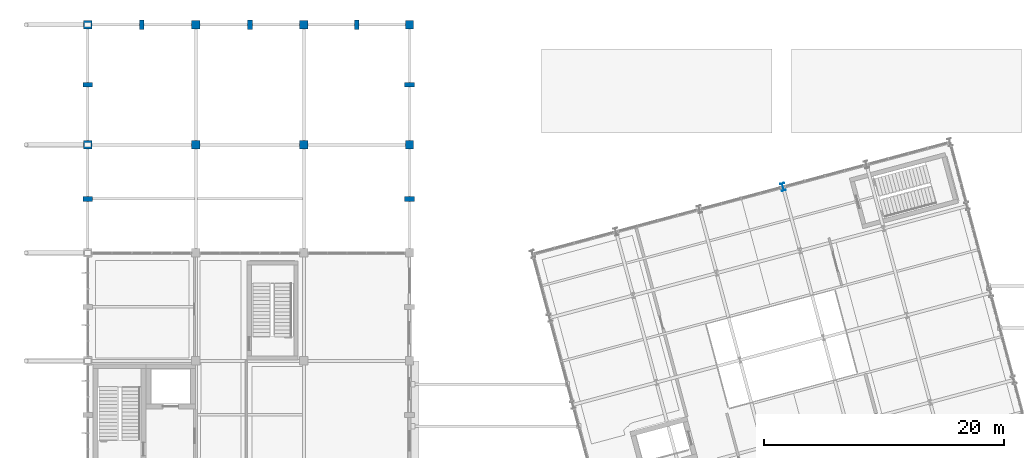
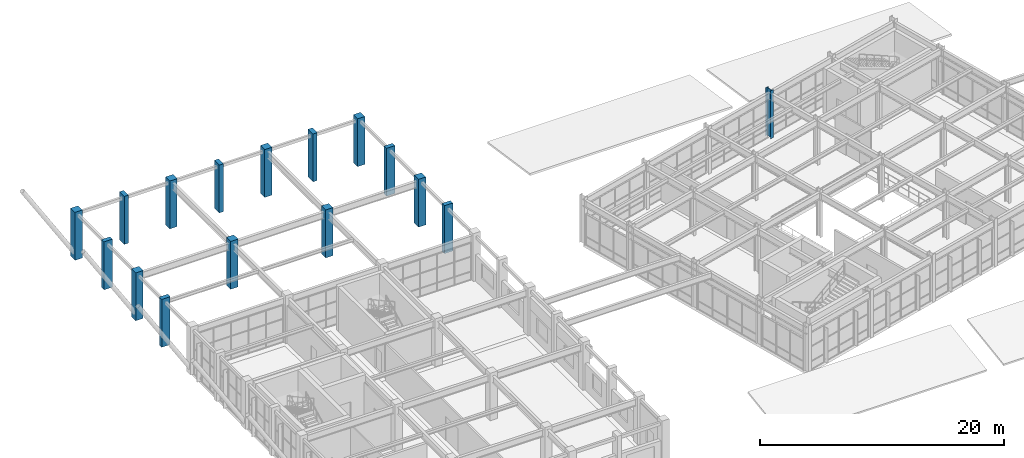
# One storey, part 3 of 104: 16 columns.
"""IFC4 building model written with IfcOpenShell, lengths in metres."""

from ifc_helpers import new_model, si_unit, direction, frame, origin, origin_2d, place, context, subcontext, project, spatial, rectangle, i_section, extrude, material, material_profile, profile_set, type_object, element, save


model = new_model("IFC4")

# Units and contexts
model_context = context("Model", 3, precision=1e-05, world=origin(), true_north=direction((0.0, 1.0)))
body_context = subcontext(model_context, "Body", "Model", "MODEL_VIEW")
ifc_project = project(units=[si_unit("LENGTHUNIT", "METRE"), si_unit("AREAUNIT", "SQUARE_METRE"), si_unit("VOLUMEUNIT", "CUBIC_METRE"), si_unit("PLANEANGLEUNIT", "RADIAN"), si_unit("MASSUNIT", "GRAM", prefix="KILO")], contexts=[model_context])

# Site, building, storey
site_placement = place(None, origin())
site = spatial("IfcSite", under=ifc_project, at=site_placement, CompositionType="ELEMENT")
building_placement = place(site_placement, origin())
building = spatial("IfcBuilding", under=site, at=building_placement, Name="Ventoquebrada Cableway Terminal", CompositionType="ELEMENT")
storey_placement = place(building_placement, frame((0.0, 0.0, 4.800048828125)))
storey = spatial("IfcBuildingStorey", under=building, at=storey_placement, Name="L01", CompositionType="ELEMENT", Elevation=4.800048828125)

# Columns
ifc_material_1 = material(Name="Concrete C40/50", Category="concrete")
ifc_material_profile_1 = material_profile(ifc_material_1, rectangle(XDim=0.699951171875, YDim=0.699951171875, at=origin_2d()), Name="RC-COL-700X700")
ifc_profile_set_1 = profile_set([ifc_material_profile_1], Name="Concrete C40/50")
column_type_1 = type_object("IfcColumnType", Name="COL-RC04", PredefinedType="COLUMN", material=ifc_profile_set_1)
for number, where, z_axis, x_axis, name in (
    (1, (8.199951171875, 104.0, 0.0), (0.0, 0.0, 1.0), (1.0, 0.0, 0.0), "Structural column FC-0204"),
    (2, (8.199951171875, 114.0, 0.0), (0.0, 0.0, 1.0), (1.0, 0.0, 0.0), "Structural column FC-0211"),
    (3, (17.199951171875, 104.0, 0.0), (0.0, 0.0, 1.0), (1.0, 0.0, 0.0), "Structural column FC-0244"),
    (4, (17.199951171875, 114.0, 0.0), (0.0, 0.0, 1.0), (1.0, 0.0, 0.0), "Structural column FC-0251"),
    (5, (26.199951171875, 104.0, 0.0), (0.0, 0.0, 1.0), (1.0, 0.0, 0.0), "Structural column FC-0284"),
    (6, (26.199951171875, 114.0, 0.0), (0.0, 0.0, 1.0), (1.0, 0.0, 0.0), "Structural column FC-0291"),
    (7, (35.0, 104.0, 0.0), (0.0, 0.0, 1.0), (1.0, 0.0, 0.0), "Structural column FC-0318"),
    (8, (35.0, 114.0, 0.0), (0.0, 0.0, 1.0), (1.0, 0.0, 0.0), "Structural column FC-0323"),
):
    element("IfcColumn", number, at=place(storey_placement, frame(where, z_axis=z_axis, x_axis=x_axis)), inside=storey, type_object=column_type_1, Name=name, PredefinedType="COLUMN", context=body_context, shape_type="SweptSolid", body=[
        extrude(rectangle(XDim=0.699951171875, YDim=0.699951171875, at=origin_2d()), origin(), (0.0, 0.0, 1.0), 4.800048828125),
    ])
ifc_material_2 = material(Name="Steel ASTM A992 Grade 50", Category="steel")
ifc_material_profile_2 = material_profile(ifc_material_2, i_section(OverallWidth=0.327880859375, OverallDepth=0.6220703125, WebThickness=0.015380859375, FlangeThickness=0.0244140625, at=origin_2d()), Name="W24X131")
ifc_profile_set_2 = profile_set([ifc_material_profile_2], Name="Steel ASTM A992 Grade 50")
column_type_2 = type_object("IfcColumnType", Name="COL-ST02", PredefinedType="COLUMN", material=ifc_profile_set_2)
column_placement = place(storey_placement, frame((66.113037109375, 100.489013671875, 0.0), z_axis=(0.0, 0.0, 1.0), x_axis=(0.965925826289, 0.258819045103, 0.0)))
element("IfcColumn", 9, at=column_placement, inside=storey, type_object=column_type_2, Name="Structural column FC-0731", PredefinedType="COLUMN", context=body_context, shape_type="SweptSolid", body=[
    extrude(i_section(OverallWidth=0.327880859375, OverallDepth=0.6220703125, WebThickness=0.015380859375, FlangeThickness=0.0244140625, at=origin_2d()), origin(), (0.0, 0.0, 1.0), 4.800048828125),
])
ifc_material_profile_3 = material_profile(ifc_material_1, rectangle(XDim=0.39990234375, YDim=0.800048828125, at=origin_2d()), Name="RC-PIL-400X800")
ifc_profile_set_3 = profile_set([ifc_material_profile_3], Name="Concrete C40/50")
column_type_3 = type_object("IfcColumnType", Name="PIL-RC01", PredefinedType="PILASTER", material=ifc_profile_set_3)
for number, where, z_axis, x_axis, name in (
    (10, (12.699951171875, 114.0, 0.0), (0.0, 0.0, 1.0), (1.0, 0.0, 0.0), "Facade pilaster FPL-0337"),
    (11, (21.699951171875, 114.0, 0.0), (0.0, 0.0, 1.0), (1.0, 0.0, 0.0), "Facade pilaster FPL-0342"),
    (12, (30.60009765625, 114.0, 0.0), (0.0, 0.0, 1.0), (1.0, 0.0, 0.0), "Facade pilaster FPL-0347"),
    (13, (8.199951171875, 99.5, 0.0), (0.0, 0.0, 1.0), (0.0, 1.0, 0.0), "Facade pilaster FPL-0370"),
    (14, (8.199951171875, 109.0, 0.0), (0.0, 0.0, 1.0), (0.0, 1.0, 0.0), "Facade pilaster FPL-0377"),
    (15, (35.0, 99.5, 0.0), (0.0, 0.0, 1.0), (0.0, 1.0, 0.0), "Facade pilaster FPL-0396"),
    (16, (35.0, 109.0, 0.0), (0.0, 0.0, 1.0), (0.0, 1.0, 0.0), "Facade pilaster FPL-0401"),
):
    element("IfcColumn", number, at=place(storey_placement, frame(where, z_axis=z_axis, x_axis=x_axis)), inside=storey, type_object=column_type_3, Name=name, PredefinedType="PILASTER", context=body_context, shape_type="SweptSolid", body=[
        extrude(rectangle(XDim=0.39990234375, YDim=0.800048828125, at=origin_2d()), origin(), (0.0, 0.0, 1.0), 4.800048828125),
    ])

save(model, "model.ifc")
